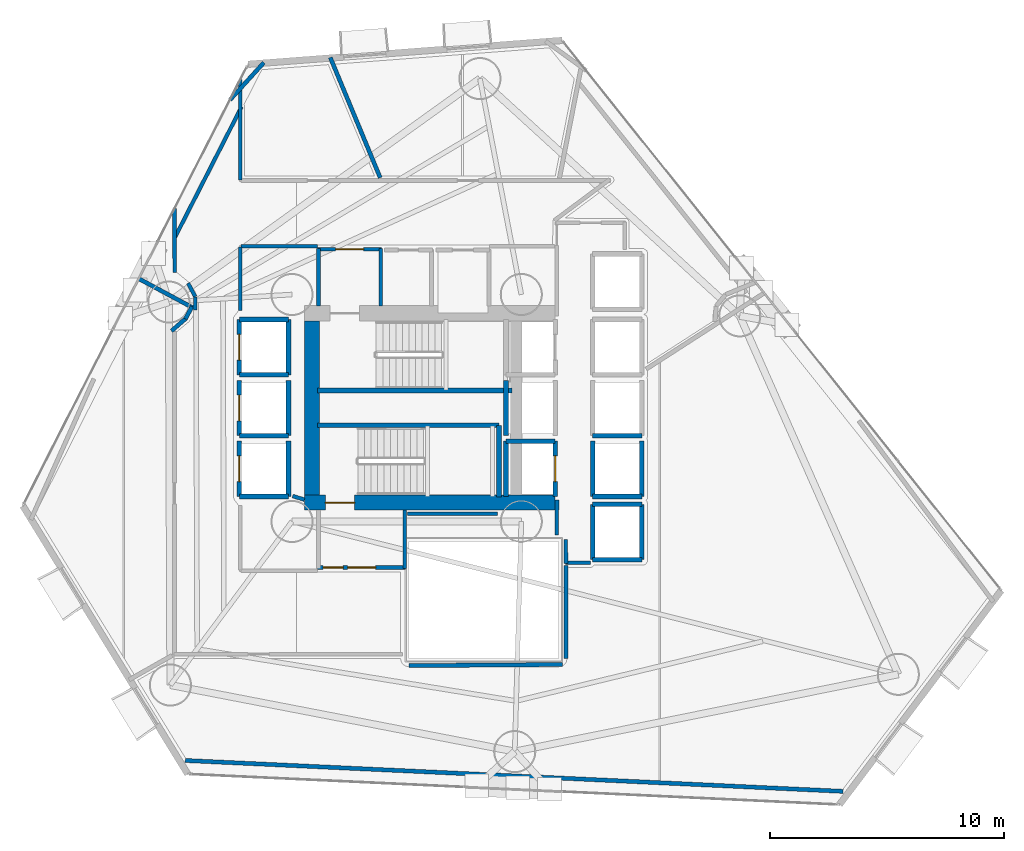
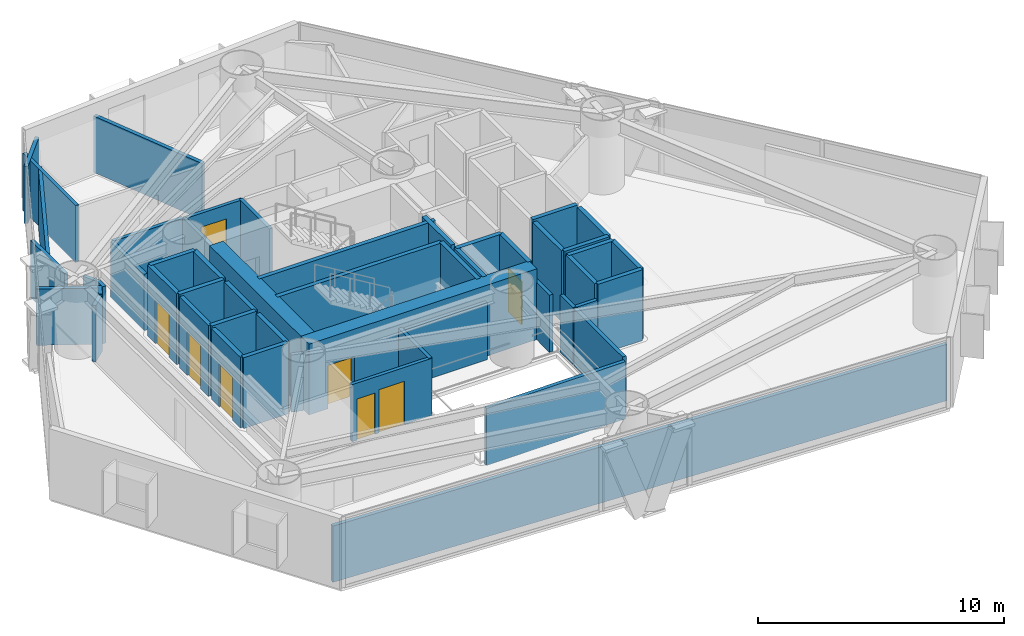
# One storey, part 17 of 23: 52 walls, 8 doors, 8 openings.
"""IFC4 building model written with IfcOpenShell, lengths in metres."""

from ifc_helpers import new_model, si_unit, direction, frame, frame_2d, origin, place, context, subcontext, project, spatial, rectangle, extrude, material, layer, layer_set, type_object, element, fill, save


model = new_model("IFC4")

# Units and contexts
model_context = context("Model", 3, precision=1e-05, world=origin(), true_north=direction((0.0, 1.0)))
body_context = subcontext(model_context, "Body", "Model", "MODEL_VIEW")
ifc_project = project(units=[si_unit("LENGTHUNIT", "METRE"), si_unit("AREAUNIT", "SQUARE_METRE"), si_unit("VOLUMEUNIT", "CUBIC_METRE"), si_unit("PLANEANGLEUNIT", "RADIAN"), si_unit("MASSUNIT", "GRAM", prefix="KILO")], contexts=[model_context])

# Site, building, storey
site_placement = place(None, origin())
site = spatial("IfcSite", under=ifc_project, at=site_placement, CompositionType="ELEMENT")
building_placement = place(site_placement, origin())
building = spatial("IfcBuilding", under=site, at=building_placement, Name="Qianvela Tower", CompositionType="ELEMENT")
storey_placement = place(building_placement, frame((0.0, 0.0, 33.10009765625)))
storey = spatial("IfcBuildingStorey", under=building, at=storey_placement, Name="L07", CompositionType="ELEMENT", Elevation=33.10009765625)

# Wall, opening, door
ifc_material_1 = material(Name="Concrete C60", Category="concrete")
ifc_layer_1 = layer(ifc_material_1, 0.64990234375)
ifc_layer_set_1 = layer_set([ifc_layer_1], Name="Concrete C60")
wall_type_1 = type_object("IfcWallType", Name="WT-CORE-650", PredefinedType="SHEAR", material=ifc_layer_set_1)
wall_1_placement = place(storey_placement, frame((29.1298828125, 24.655029296875, 0.0), z_axis=(0.0, 0.0, 1.0), x_axis=(1.0, 0.0, 0.0)))
wall_1 = element("IfcWall", 1, at=wall_1_placement, inside=storey, type_object=wall_type_1, Name="L07 South Core Shear Wall", PredefinedType="SHEAR", context=body_context, shape_type="SweptSolid", body=[
    extrude(rectangle(XDim=10.72021484375, YDim=0.64990234375, at=frame_2d((5.360107421875, 0.0))), origin(), (0.0, 0.0, 1.0), 3.52001953125),
])
opening_1_placement = place(wall_1_placement, frame((0.89501953125, 0.0, 0.0)))
opening_1 = element("IfcOpeningElement", 2, at=opening_1_placement, cuts=wall_1, Name="Opening D-ST1", PredefinedType="OPENING", context=body_context, shape_type="SweptSolid", body=[
    extrude(rectangle(XDim=1.25, YDim=2.14990234375, at=frame_2d((0.625, 1.074951171875))), frame((0.0, 0.3349609375, 0.0), z_axis=(0.0, -1.0, 0.0), x_axis=(1.0, 0.0, 0.0)), (0.0, 0.0, 1.0), 0.669921875),
])
ifc_material_2 = material(Name="Galvanised Fire Steel Q355B", Category="steel")
door_type_1 = type_object("IfcDoorType", Name="DT-STAIR-FD90", OperationType="NOTDEFINED", PredefinedType="DOOR", material=ifc_material_2)
door_1_placement = place(opening_1_placement, origin())
door_1 = element("IfcDoor", 3, at=door_1_placement, inside=storey, type_object=door_type_1, Name="L07 Stair ST-2 Exit Door", OperationType="SINGLE_SWING_RIGHT", OverallHeight=2.14990234375, OverallWidth=1.25, PredefinedType="DOOR", context=body_context, shape_type="SweptSolid", body=[
    extrude(rectangle(XDim=1.25, YDim=2.14990234375, at=frame_2d((0.625, 1.074951171875))), frame((0.0, 0.02490234375, 0.0), z_axis=(0.0, -1.0, 0.0), x_axis=(1.0, 0.0, 0.0)), (0.0, 0.0, 1.0), 0.050048828125),
])
fill(opening_1, door_1)

# Walls
wall_2_placement = place(storey_placement, frame((29.455078125, 24.97998046875, 0.0), z_axis=(0.0, 0.0, 1.0), x_axis=(0.0, 1.0, 0.0)))
element("IfcWall", 4, at=wall_2_placement, inside=storey, type_object=wall_type_1, Name="L07 West Core Shear Wall", PredefinedType="SHEAR", context=body_context, shape_type="SweptSolid", body=[
    extrude(rectangle(XDim=7.43994140625, YDim=0.64990234375, at=frame_2d((3.719970703125, 0.0))), origin(), (0.0, 0.0, 1.0), 3.52001953125),
])
ifc_material_3 = material(Name="Fire-Rated Gypsum and Concrete Block", Category="concrete")
ifc_layer_2 = layer(ifc_material_3, 0.159912109375)
ifc_layer_set_2 = layer_set([ifc_layer_2], Name="Fire-Rated Gypsum and Concrete Block")
wall_type_2 = type_object("IfcWallType", Name="WT-CORR-160", PredefinedType="PARTITIONING", material=ifc_layer_set_2)
wall_3_placement = place(storey_placement, frame((29.73095703125, 33.05810546875, 0.0), z_axis=(0.0, 0.0, 1.0), x_axis=(0.0, 1.0, 0.0)))
element("IfcWall", 5, at=wall_3_placement, inside=storey, type_object=wall_type_2, Name="L07 Partition 2", PredefinedType="PARTITIONING", context=body_context, shape_type="SweptSolid", body=[
    extrude(rectangle(XDim=2.4619140625, YDim=0.159912109375, at=frame_2d((1.23095703125, 0.0))), origin(), (0.0, 0.0, 1.0), 2.83984375),
])

# Wall, opening, door
wall_4_placement = place(storey_placement, frame((29.699951171875, 35.489013671875, 0.0), z_axis=(0.0, 0.0, 1.0), x_axis=(1.0, 0.0, 0.0)))
wall_4 = element("IfcWall", 6, at=wall_4_placement, inside=storey, type_object=wall_type_2, Name="L07 Partition 3", PredefinedType="PARTITIONING", context=body_context, shape_type="SweptSolid", body=[
    extrude(rectangle(XDim=2.719970703125, YDim=0.159912109375, at=frame_2d((1.35986328125, 0.0))), origin(), (0.0, 0.0, 1.0), 2.83984375),
])
opening_2_placement = place(wall_4_placement, frame((0.760009765625, 0.0, 0.0)))
opening_2 = element("IfcOpeningElement", 7, at=opening_2_placement, cuts=wall_4, Name="Opening D-LB1", PredefinedType="OPENING", context=body_context, shape_type="SweptSolid", body=[
    extrude(rectangle(XDim=1.199951171875, YDim=2.14990234375, at=frame_2d((0.60009765625, 1.074951171875))), frame((0.0, 0.08984375, 0.0), z_axis=(0.0, -1.0, 0.0), x_axis=(1.0, 0.0, 0.0)), (0.0, 0.0, 1.0), 0.179931640625),
])
ifc_material_4 = material(Name="Glazed Fire-Rated Steel Frame", Category="steel")
door_type_2 = type_object("IfcDoorType", Name="DT-LOBBY-FD90", OperationType="NOTDEFINED", PredefinedType="DOOR", material=ifc_material_4)
door_2_placement = place(opening_2_placement, origin())
door_2 = element("IfcDoor", 8, at=door_2_placement, inside=storey, type_object=door_type_2, Name="L07 Door L07 Firefighting Lobby North to L07 Floor Corridor", OperationType="SINGLE_SWING_RIGHT", OverallHeight=2.14990234375, OverallWidth=1.199951171875, PredefinedType="DOOR", context=body_context, shape_type="SweptSolid", body=[
    extrude(rectangle(XDim=1.199951171875, YDim=2.14990234375, at=frame_2d((0.60009765625, 1.074951171875))), frame((0.0, 0.02490234375, 0.0), z_axis=(0.0, -1.0, 0.0), x_axis=(1.0, 0.0, 0.0)), (0.0, 0.0, 1.0), 0.050048828125),
])
fill(opening_2, door_2)

# Wall
wall_5_placement = place(storey_placement, frame((32.388916015625, 35.52001953125, 0.0), z_axis=(0.0, 0.0, 1.0), x_axis=(0.0, -1.0, 0.0)))
element("IfcWall", 9, at=wall_5_placement, inside=storey, type_object=wall_type_2, Name="L07 Partition 4", PredefinedType="PARTITIONING", context=body_context, shape_type="SweptSolid", body=[
    extrude(rectangle(XDim=2.4619140625, YDim=0.159912109375, at=frame_2d((1.23095703125, 0.0))), origin(), (0.0, 0.0, 1.0), 2.83984375),
])

# Wall, openings, doors
wall_6_placement = place(storey_placement, frame((33.449951171875, 21.881103515625, 0.0), z_axis=(0.0, 0.0, 1.0), x_axis=(-1.0, 0.0, 0.0)))
wall_6 = element("IfcWall", 10, at=wall_6_placement, inside=storey, type_object=wall_type_2, Name="L07 Partition 5", PredefinedType="PARTITIONING", context=body_context, shape_type="SweptSolid", body=[
    extrude(rectangle(XDim=3.75, YDim=0.159912109375, at=frame_2d((1.875, 0.0))), origin(), (0.0, 0.0, 1.0), 2.83984375),
])
opening_3_placement = place(wall_6_placement, frame((1.27490234375, 0.0, 0.0)))
opening_3 = element("IfcOpeningElement", 11, at=opening_3_placement, cuts=wall_6, Name="Opening D-LB1", PredefinedType="OPENING", context=body_context, shape_type="SweptSolid", body=[
    extrude(rectangle(XDim=1.199951171875, YDim=2.14990234375, at=frame_2d((0.60009765625, 1.074951171875))), frame((0.0, 0.08984375, 0.0), z_axis=(0.0, -1.0, 0.0), x_axis=(1.0, 0.0, 0.0)), (0.0, 0.0, 1.0), 0.179931640625),
])
opening_4_placement = place(wall_6_placement, frame((2.659912109375, 0.0, 0.0)))
opening_4 = element("IfcOpeningElement", 12, at=opening_4_placement, cuts=wall_6, Name="Opening D-LB2", PredefinedType="OPENING", context=body_context, shape_type="SweptSolid", body=[
    extrude(rectangle(XDim=0.860107421875, YDim=2.050048828125, at=frame_2d((0.43017578125, 1.02490234375))), frame((0.0, 0.08984375, 0.0), z_axis=(0.0, -1.0, 0.0), x_axis=(1.0, 0.0, 0.0)), (0.0, 0.0, 1.0), 0.179931640625),
])
door_3_placement = place(opening_3_placement, origin())
door_3 = element("IfcDoor", 13, at=door_3_placement, inside=storey, type_object=door_type_2, Name="L07 Door L07 Firefighting Lobby South to L07 Floor Corridor", OperationType="SINGLE_SWING_LEFT", OverallHeight=2.14990234375, OverallWidth=1.199951171875, PredefinedType="DOOR", context=body_context, shape_type="SweptSolid", body=[
    extrude(rectangle(XDim=1.199951171875, YDim=2.14990234375, at=frame_2d((0.60009765625, 1.074951171875))), frame((0.0, 0.02490234375, 0.0), z_axis=(0.0, -1.0, 0.0), x_axis=(1.0, 0.0, 0.0)), (0.0, 0.0, 1.0), 0.050048828125),
])
fill(opening_3, door_3)
ifc_material_5 = material(Name="Insulated Steel Fire Door Q355B", Category="steel")
door_type_3 = type_object("IfcDoorType", Name="DT-LOBBY-FD90-860", OperationType="NOTDEFINED", PredefinedType="DOOR", material=ifc_material_5)
door_4_placement = place(opening_4_placement, origin())
door_4 = element("IfcDoor", 14, at=door_4_placement, inside=storey, type_object=door_type_3, Name="L07 Door L07 Firefighting Lobby South to L07 Floor Corridor", OperationType="SINGLE_SWING_LEFT", OverallHeight=2.050048828125, OverallWidth=0.860107421875, PredefinedType="DOOR", context=body_context, shape_type="SweptSolid", body=[
    extrude(rectangle(XDim=0.860107421875, YDim=2.050048828125, at=frame_2d((0.43017578125, 1.02490234375))), frame((0.0, 0.02490234375, 0.0), z_axis=(0.0, -1.0, 0.0), x_axis=(1.0, 0.0, 0.0)), (0.0, 0.0, 1.0), 0.050048828125),
])
fill(opening_4, door_4)

# Walls
wall_7_placement = place(storey_placement, frame((33.4189453125, 24.342041015625, 0.0), z_axis=(0.0, 0.0, 1.0), x_axis=(0.0, -1.0, 0.0)))
element("IfcWall", 15, at=wall_7_placement, inside=storey, type_object=wall_type_2, Name="L07 Partition 8", PredefinedType="PARTITIONING", context=body_context, shape_type="SweptSolid", body=[
    extrude(rectangle(XDim=2.491943359375, YDim=0.159912109375, at=frame_2d((1.24609375, 0.0))), origin(), (0.0, 0.0, 1.0), 2.83984375),
])
wall_8_placement = place(storey_placement, frame((41.360107421875, 22.0810546875, 0.0), z_axis=(0.0, 0.0, 1.0), x_axis=(-1.0, 0.0, 0.0)))
element("IfcWall", 16, at=wall_8_placement, inside=storey, type_object=wall_type_2, Name="L07 Partition 15", PredefinedType="PARTITIONING", context=body_context, shape_type="SweptSolid", body=[
    extrude(rectangle(XDim=1.080078125, YDim=0.159912109375, at=frame_2d((0.5400390625, 0.0))), origin(), (0.0, 0.0, 1.0), 2.83984375),
])
wall_9_placement = place(storey_placement, frame((40.31103515625, 22.05029296875, 0.0), z_axis=(0.0, 0.0, 1.0), x_axis=(-0.011836292006, 0.999929948642, 0.0)))
element("IfcWall", 17, at=wall_9_placement, inside=storey, type_object=wall_type_2, Name="L07 Partition 16", PredefinedType="PARTITIONING", context=body_context, shape_type="SweptSolid", body=[
    extrude(rectangle(XDim=1.03125, YDim=0.159912109375, at=frame_2d((0.515625, 0.0))), origin(), (0.0, 0.0, 1.0), 2.83984375),
])
wall_10_placement = place(storey_placement, frame((39.910888671875, 23.27978515625, 0.0), z_axis=(0.0, 0.0, 1.0), x_axis=(0.009397771291, 0.999955839972, 0.0)))
element("IfcWall", 18, at=wall_10_placement, inside=storey, type_object=wall_type_2, Name="L07 Partition 17", PredefinedType="PARTITIONING", context=body_context, shape_type="SweptSolid", body=[
    extrude(rectangle(XDim=1.480712890625, YDim=0.159912109375, at=frame_2d((0.740234375, 0.0))), origin(), (0.0, 0.0, 1.0), 2.83984375),
])
wall_11_placement = place(storey_placement, frame((29.1298828125, 24.781982421875, 0.0), z_axis=(0.0, 0.0, 1.0), x_axis=(-0.955000482512, 0.296604245422, 0.0)))
element("IfcWall", 19, at=wall_11_placement, inside=storey, type_object=wall_type_2, Name="L07 Partition 31", PredefinedType="PARTITIONING", context=body_context, shape_type="SweptSolid", body=[
    extrude(rectangle(XDim=0.5244140625, YDim=0.159912109375, at=frame_2d((0.26220703125, 0.0))), origin(), (0.0, 0.0, 1.0), 2.83984375),
])
wall_12_placement = place(storey_placement, frame((37.388671875, 24.180908203125, 0.0), z_axis=(0.0, 0.0, 1.0), x_axis=(-1.0, 0.0, 0.0)))
element("IfcWall", 20, at=wall_12_placement, inside=storey, type_object=wall_type_2, Name="L07 Partition 37", PredefinedType="PARTITIONING", context=body_context, shape_type="SweptSolid", body=[
    extrude(rectangle(XDim=3.858642578125, YDim=0.159912109375, at=frame_2d((1.92919921875, 0.0))), origin(), (0.0, 0.0, 1.0), 2.83984375),
])
wall_13_placement = place(storey_placement, frame((24.4638671875, 33.461181640625, 0.0), z_axis=(0.0, 0.0, 1.0), x_axis=(-0.4715232649, 0.881853622014, 0.0)))
element("IfcWall", 21, at=wall_13_placement, inside=storey, type_object=wall_type_2, Name="L07 Partition 38", PredefinedType="PARTITIONING", context=body_context, shape_type="SweptSolid", body=[
    extrude(rectangle(XDim=0.650390625, YDim=0.159912109375, at=frame_2d((0.3251953125, 0.0))), origin(), (0.0, 0.0, 1.0), 2.7978515625),
])
wall_14_placement = place(storey_placement, frame((23.586669921875, 34.491455078125, 0.0), z_axis=(0.0, 0.0, 1.0), x_axis=(-0.003825594781, 0.999992682386, 0.0)))
element("IfcWall", 22, at=wall_14_placement, inside=storey, type_object=wall_type_2, Name="L07 Partition 40", PredefinedType="PARTITIONING", context=body_context, shape_type="SweptSolid", body=[
    extrude(rectangle(XDim=2.744140625, YDim=0.159912109375, at=frame_2d((1.3720703125, 0.0))), origin(), (0.0, 0.0, 1.0), 2.83984375),
])
wall_15_placement = place(storey_placement, frame((23.57763671875, 35.951171875, 0.0), z_axis=(0.0, 0.0, 1.0), x_axis=(0.454592450263, 0.890699558866, 0.0)))
element("IfcWall", 23, at=wall_15_placement, inside=storey, type_object=wall_type_2, Name="L07 Partition 41", PredefinedType="PARTITIONING", context=body_context, shape_type="SweptSolid", body=[
    extrude(rectangle(XDim=6.31298828125, YDim=0.159912109375, at=frame_2d((3.156494140625, 0.0))), origin(), (0.0, 0.0, 1.0), 2.83984375),
])
wall_16_placement = place(storey_placement, frame((26.388916015625, 42.746337890625, 0.0), z_axis=(0.0, 0.0, 1.0), x_axis=(0.0, -1.0, 0.0)))
element("IfcWall", 24, at=wall_16_placement, inside=storey, type_object=wall_type_2, Name="L07 Partition 42", PredefinedType="PARTITIONING", context=body_context, shape_type="SweptSolid", body=[
    extrude(rectangle(XDim=4.29638671875, YDim=0.159912109375, at=frame_2d((2.148193359375, 0.0))), origin(), (0.0, 0.0, 1.0), 2.83984375),
])
wall_17_placement = place(storey_placement, frame((29.699951171875, 35.611083984375, 0.0), z_axis=(0.0, 0.0, 1.0), x_axis=(-1.0, 0.0, 0.0)))
element("IfcWall", 25, at=wall_17_placement, inside=storey, type_object=wall_type_2, Name="L07 Partition 46 seg 4", PredefinedType="PARTITIONING", context=body_context, shape_type="SweptSolid", body=[
    extrude(rectangle(XDim=3.280029296875, YDim=0.159912109375, at=frame_2d((1.64013671875, 0.0))), origin(), (0.0, 0.0, 1.0), 2.7978515625),
])
wall_18_placement = place(storey_placement, frame((26.388916015625, 35.580078125, 0.0), z_axis=(0.0, 0.0, 1.0), x_axis=(0.0, -1.0, 0.0)))
element("IfcWall", 26, at=wall_18_placement, inside=storey, type_object=wall_type_2, Name="L07 Partition 47", PredefinedType="PARTITIONING", context=body_context, shape_type="SweptSolid", body=[
    extrude(rectangle(XDim=2.71044921875, YDim=0.159912109375, at=frame_2d((1.355224609375, 0.0))), origin(), (0.0, 0.0, 1.0), 2.7978515625),
])
wall_19_placement = place(storey_placement, frame((24.45654296875, 32.8974609375, 0.0), z_axis=(0.0, 0.0, 1.0), x_axis=(0.020031598679, 0.999799347396, 0.0)))
element("IfcWall", 27, at=wall_19_placement, inside=storey, type_object=wall_type_2, Name="L07 Partition 54", PredefinedType="PARTITIONING", context=body_context, shape_type="SweptSolid", body=[
    extrude(rectangle(XDim=0.54833984375, YDim=0.159912109375, at=frame_2d((0.274169921875, 0.0))), origin(), (0.0, 0.0, 1.0), 2.83984375),
])
ifc_material_6 = material(Name="Moisture-Resistant Acoustic Plumbing Wall")
ifc_layer_3 = layer(ifc_material_6, 0.175048828125)
ifc_layer_set_3 = layer_set([ifc_layer_3], Name="Moisture-Resistant Acoustic Plumbing Wall")
wall_type_3 = type_object("IfcWallType", Name="WT-PLUMB-175", PredefinedType="PLUMBINGWALL", material=ifc_layer_set_3)
wall_20_placement = place(storey_placement, frame((22.033203125, 34.236083984375, 0.0), z_axis=(0.0, 0.0, 1.0), x_axis=(0.880677298997, -0.473716682239, 0.0)))
element("IfcWall", 28, at=wall_20_placement, inside=storey, type_object=wall_type_3, Name="L07 Partition 55", PredefinedType="PLUMBINGWALL", context=body_context, shape_type="SweptSolid", body=[
    extrude(rectangle(XDim=2.622314453125, YDim=0.175048828125, at=frame_2d((1.31103515625, 0.0))), origin(), (0.0, 0.0, 1.0), 2.7978515625),
])
wall_21_placement = place(storey_placement, frame((24.329833984375, 33.035888671875, 0.0), z_axis=(0.0, 0.0, 1.0), x_axis=(-0.473395741492, -0.880849857772, 0.0)))
element("IfcWall", 29, at=wall_21_placement, inside=storey, type_object=wall_type_3, Name="L07 Partition 56", PredefinedType="PLUMBINGWALL", context=body_context, shape_type="SweptSolid", body=[
    extrude(rectangle(XDim=0.599853515625, YDim=0.175048828125, at=frame_2d((0.2998046875, 0.0))), origin(), (0.0, 0.0, 1.0), 2.83984375),
])
wall_22_placement = place(storey_placement, frame((24.052734375, 32.516357421875, 0.0), z_axis=(0.0, 0.0, 1.0), x_axis=(-0.753993768579, -0.656881569953, 0.0)))
element("IfcWall", 30, at=wall_22_placement, inside=storey, type_object=wall_type_3, Name="L07 Partition 57", PredefinedType="PLUMBINGWALL", context=body_context, shape_type="SweptSolid", body=[
    extrude(rectangle(XDim=0.799560546875, YDim=0.175048828125, at=frame_2d((0.39990234375, 0.0))), origin(), (0.0, 0.0, 1.0), 2.7978515625),
])
wall_23_placement = place(storey_placement, frame((33.60009765625, 17.68896484375, 0.0), z_axis=(0.0, 0.0, 1.0), x_axis=(0.999974170588, 0.007187360901, 0.0)))
element("IfcWall", 31, at=wall_23_placement, inside=storey, type_object=wall_type_3, Name="L07 Partition 63", PredefinedType="PLUMBINGWALL", context=body_context, shape_type="SweptSolid", body=[
    extrude(rectangle(XDim=6.555908203125, YDim=0.175048828125, at=frame_2d((3.27783203125, 0.0))), origin(), (0.0, 0.0, 1.0), 2.83984375),
])
wall_24_placement = place(storey_placement, frame((40.31103515625, 18.0, 0.0), z_axis=(0.0, 0.0, 1.0), x_axis=(0.0, 1.0, 0.0)))
element("IfcWall", 32, at=wall_24_placement, inside=storey, type_object=wall_type_3, Name="L07 Partition 64 seg 1", PredefinedType="PLUMBINGWALL", context=body_context, shape_type="SweptSolid", body=[
    extrude(rectangle(XDim=3.969970703125, YDim=0.175048828125, at=frame_2d((1.98486328125, 0.0))), origin(), (0.0, 0.0, 1.0), 2.83984375),
])
wall_25_placement = place(storey_placement, frame((52.156494140625, 12.315673828125, 0.0), z_axis=(0.0, 0.0, 1.0), x_axis=(-0.998900535897, 0.046879839856, 0.0)))
element("IfcWall", 33, at=wall_25_placement, inside=storey, type_object=wall_type_3, Name="L07 Partition 73", PredefinedType="PLUMBINGWALL", context=body_context, shape_type="SweptSolid", body=[
    extrude(rectangle(XDim=28.148193359375, YDim=0.175048828125, at=frame_2d((14.07421875, 0.0))), origin(), (0.0, 0.0, 1.0), 2.7978515625),
])
wall_26_placement = place(storey_placement, frame((32.3701171875, 38.5419921875, 0.0), z_axis=(0.0, 0.0, 1.0), x_axis=(-0.383564864304, 0.923513938645, 0.0)))
element("IfcWall", 34, at=wall_26_placement, inside=storey, type_object=wall_type_3, Name="L07 Partition 95", PredefinedType="PLUMBINGWALL", context=body_context, shape_type="SweptSolid", body=[
    extrude(rectangle(XDim=5.5625, YDim=0.175048828125, at=frame_2d((2.78125, 0.0))), origin(), (0.0, 0.0, 1.0), 2.7978515625),
])
wall_27_placement = place(storey_placement, frame((25.95166015625, 41.869384765625, 0.0), z_axis=(0.0, 0.0, 1.0), x_axis=(0.672672793996, 0.739940073396, 0.0)))
element("IfcWall", 35, at=wall_27_placement, inside=storey, type_object=wall_type_3, Name="L07 Partition 96", PredefinedType="PLUMBINGWALL", context=body_context, shape_type="SweptSolid", body=[
    extrude(rectangle(XDim=2.15234375, YDim=0.175048828125, at=frame_2d((1.076171875, 0.0))), origin(), (0.0, 0.0, 1.0), 2.83984375),
])
ifc_material_7 = material(Name="Concrete C50", Category="concrete")
ifc_layer_4 = layer(ifc_material_7, 0.199951171875)
ifc_layer_set_4 = layer_set([ifc_layer_4], Name="Concrete C50")
wall_type_4 = type_object("IfcWallType", Name="WT-SHAFT-200", PredefinedType="SOLIDWALL", material=ifc_layer_set_4)
wall_28_placement = place(storey_placement, frame((29.699951171875, 29.449951171875, 0.0), z_axis=(0.0, 0.0, 1.0), x_axis=(1.0, 0.0, 0.0)))
element("IfcWall", 36, at=wall_28_placement, inside=storey, type_object=wall_type_4, Name="L07 Stair ST-1 South Wall", PredefinedType="SOLIDWALL", context=body_context, shape_type="SweptSolid", body=[
    extrude(rectangle(XDim=8.300048828125, YDim=0.199951171875, at=frame_2d((4.14990234375, 0.0))), origin(), (0.0, 0.0, 1.0), 3.52001953125),
])
wall_29_placement = place(storey_placement, frame((29.699951171875, 27.9599609375, 0.0), z_axis=(0.0, 0.0, 1.0), x_axis=(1.0, 0.0, 0.0)))
element("IfcWall", 37, at=wall_29_placement, inside=storey, type_object=wall_type_4, Name="L07 Stair ST-2 North Wall", PredefinedType="SOLIDWALL", context=body_context, shape_type="SweptSolid", body=[
    extrude(rectangle(XDim=7.75, YDim=0.199951171875, at=frame_2d((3.875, 0.0))), origin(), (0.0, 0.0, 1.0), 3.52001953125),
])
wall_30_placement = place(storey_placement, frame((37.449951171875, 24.89990234375, 0.0), z_axis=(0.0, 0.0, 1.0), x_axis=(0.0, 1.0, 0.0)))
element("IfcWall", 38, at=wall_30_placement, inside=storey, type_object=wall_type_4, Name="L07 Stair ST-2 East Wall", PredefinedType="SOLIDWALL", context=body_context, shape_type="SweptSolid", body=[
    extrude(rectangle(XDim=3.06005859375, YDim=0.199951171875, at=frame_2d((1.530029296875, 0.0))), origin(), (0.0, 0.0, 1.0), 3.52001953125),
])

# Wall, opening, door
wall_31_placement = place(storey_placement, frame((39.85009765625, 24.919921875, 0.0), z_axis=(0.0, 0.0, 1.0), x_axis=(0.0, 1.0, 0.0)))
wall_31 = element("IfcWall", 39, at=wall_31_placement, inside=storey, type_object=wall_type_4, Name="L07 Lift FL-2 E Shaft Wall", PredefinedType="SOLIDWALL", context=body_context, shape_type="SweptSolid", body=[
    extrude(rectangle(XDim=2.360107421875, YDim=0.199951171875, at=frame_2d((1.18017578125, 0.0))), origin(), (0.0, 0.0, 1.0), 3.52001953125),
])
opening_5_placement = place(wall_31_placement, frame((0.6298828125, 0.0, 0.0)))
opening_5 = element("IfcOpeningElement", 40, at=opening_5_placement, cuts=wall_31, Name="Opening LD-01", PredefinedType="OPENING", context=body_context, shape_type="SweptSolid", body=[
    extrude(rectangle(XDim=1.10009765625, YDim=2.14990234375, at=frame_2d((0.550048828125, 1.074951171875))), frame((0.0, 0.10986328125, 0.0), z_axis=(0.0, -1.0, 0.0), x_axis=(1.0, 0.0, 0.0)), (0.0, 0.0, 1.0), 0.219970703125),
])
ifc_material_8 = material(Name="Brushed Stainless Steel Lift Landing Door", Category="steel")
door_type_4 = type_object("IfcDoorType", Name="DT-LIFT-SLIDE-1100", OperationType="SLIDING_TO_LEFT", PredefinedType="DOOR", material=ifc_material_8)
door_5_placement = place(opening_5_placement, origin())
door_5 = element("IfcDoor", 41, at=door_5_placement, inside=storey, type_object=door_type_4, Name="L07 Lift FL-2 Sliding Landing Door", OperationType="SLIDING_TO_LEFT", OverallHeight=2.14990234375, OverallWidth=1.10009765625, PredefinedType="DOOR", context=body_context, shape_type="SweptSolid", body=[
    extrude(rectangle(XDim=1.10009765625, YDim=2.14990234375, at=frame_2d((0.550048828125, 1.074951171875))), frame((0.0, 0.02490234375, 0.0), z_axis=(0.0, -1.0, 0.0), x_axis=(1.0, 0.0, 0.0)), (0.0, 0.0, 1.0), 0.050048828125),
])
fill(opening_5, door_5)

# Walls
wall_32_placement = place(storey_placement, frame((37.75, 24.919921875, 0.0), z_axis=(0.0, 0.0, 1.0), x_axis=(0.0, 1.0, 0.0)))
element("IfcWall", 42, at=wall_32_placement, inside=storey, type_object=wall_type_4, Name="L07 Lift FL-2 W Shaft Wall", PredefinedType="SOLIDWALL", context=body_context, shape_type="SweptSolid", body=[
    extrude(rectangle(XDim=2.360107421875, YDim=0.199951171875, at=frame_2d((1.18017578125, 0.0))), origin(), (0.0, 0.0, 1.0), 3.52001953125),
])
wall_33_placement = place(storey_placement, frame((37.75, 27.280029296875, 0.0), z_axis=(0.0, 0.0, 1.0), x_axis=(1.0, 0.0, 0.0)))
element("IfcWall", 43, at=wall_33_placement, inside=storey, type_object=wall_type_4, Name="L07 Lift FL-2 N Shaft Wall", PredefinedType="SOLIDWALL", context=body_context, shape_type="SweptSolid", body=[
    extrude(rectangle(XDim=2.10009765625, YDim=0.199951171875, at=frame_2d((1.050048828125, 0.0))), origin(), (0.0, 0.0, 1.0), 3.52001953125),
])
wall_34_placement = place(storey_placement, frame((28.449951171875, 30.1201171875, 0.0), z_axis=(0.0, 0.0, 1.0), x_axis=(0.0, 1.0, 0.0)))
element("IfcWall", 44, at=wall_34_placement, inside=storey, type_object=wall_type_4, Name="L07 Lift PL-L1 E Shaft Wall", PredefinedType="SOLIDWALL", context=body_context, shape_type="SweptSolid", body=[
    extrude(rectangle(XDim=2.35986328125, YDim=0.199951171875, at=frame_2d((1.179931640625, 0.0))), origin(), (0.0, 0.0, 1.0), 3.52001953125),
])

# Wall, opening, door
wall_35_placement = place(storey_placement, frame((26.35009765625, 30.1201171875, 0.0), z_axis=(0.0, 0.0, 1.0), x_axis=(0.0, 1.0, 0.0)))
wall_35 = element("IfcWall", 45, at=wall_35_placement, inside=storey, type_object=wall_type_4, Name="L07 Lift PL-L1 W Shaft Wall", PredefinedType="SOLIDWALL", context=body_context, shape_type="SweptSolid", body=[
    extrude(rectangle(XDim=2.35986328125, YDim=0.199951171875, at=frame_2d((1.179931640625, 0.0))), origin(), (0.0, 0.0, 1.0), 3.52001953125),
])
opening_6_placement = place(wall_35_placement, frame((0.6298828125, 0.0, 0.0)))
opening_6 = element("IfcOpeningElement", 46, at=opening_6_placement, cuts=wall_35, Name="Opening LD-01", PredefinedType="OPENING", context=body_context, shape_type="SweptSolid", body=[
    extrude(rectangle(XDim=1.10009765625, YDim=2.14990234375, at=frame_2d((0.550048828125, 1.074951171875))), frame((0.0, 0.10986328125, 0.0), z_axis=(0.0, -1.0, 0.0), x_axis=(1.0, 0.0, 0.0)), (0.0, 0.0, 1.0), 0.219970703125),
])
door_6_placement = place(opening_6_placement, origin())
door_6 = element("IfcDoor", 47, at=door_6_placement, inside=storey, type_object=door_type_4, Name="L07 Lift PL-L1 Sliding Landing Door", OperationType="SLIDING_TO_LEFT", OverallHeight=2.14990234375, OverallWidth=1.10009765625, PredefinedType="DOOR", context=body_context, shape_type="SweptSolid", body=[
    extrude(rectangle(XDim=1.10009765625, YDim=2.14990234375, at=frame_2d((0.550048828125, 1.074951171875))), frame((0.0, 0.02490234375, 0.0), z_axis=(0.0, -1.0, 0.0), x_axis=(1.0, 0.0, 0.0)), (0.0, 0.0, 1.0), 0.050048828125),
])
fill(opening_6, door_6)

# Walls
for number, where, z_axis, x_axis, name in (
    (48, (26.35009765625, 32.47998046875, 0.0), (0.0, 0.0, 1.0), (1.0, 0.0, 0.0), "L07 Lift PL-L1 N Shaft Wall"),
    (49, (26.35009765625, 30.1201171875, 0.0), (0.0, 0.0, 1.0), (1.0, 0.0, 0.0), "L07 Lift PL-L1 S Shaft Wall"),
):
    element("IfcWall", number, at=place(storey_placement, frame(where, z_axis=z_axis, x_axis=x_axis)), inside=storey, type_object=wall_type_4, Name=name, PredefinedType="SOLIDWALL", context=body_context, shape_type="SweptSolid", body=[
        extrude(rectangle(XDim=2.099853515625, YDim=0.199951171875, at=frame_2d((1.0498046875, 0.0))), origin(), (0.0, 0.0, 1.0), 3.52001953125),
    ])
wall_36_placement = place(storey_placement, frame((28.449951171875, 27.52001953125, 0.0), z_axis=(0.0, 0.0, 1.0), x_axis=(0.0, 1.0, 0.0)))
element("IfcWall", 50, at=wall_36_placement, inside=storey, type_object=wall_type_4, Name="L07 Lift PL-L2 E Shaft Wall", PredefinedType="SOLIDWALL", context=body_context, shape_type="SweptSolid", body=[
    extrude(rectangle(XDim=2.35986328125, YDim=0.199951171875, at=frame_2d((1.179931640625, 0.0))), origin(), (0.0, 0.0, 1.0), 3.52001953125),
])

# Wall, opening, door
wall_37_placement = place(storey_placement, frame((26.35009765625, 27.52001953125, 0.0), z_axis=(0.0, 0.0, 1.0), x_axis=(0.0, 1.0, 0.0)))
wall_37 = element("IfcWall", 51, at=wall_37_placement, inside=storey, type_object=wall_type_4, Name="L07 Lift PL-L2 W Shaft Wall", PredefinedType="SOLIDWALL", context=body_context, shape_type="SweptSolid", body=[
    extrude(rectangle(XDim=2.35986328125, YDim=0.199951171875, at=frame_2d((1.179931640625, 0.0))), origin(), (0.0, 0.0, 1.0), 3.52001953125),
])
opening_7_placement = place(wall_37_placement, frame((0.6298828125, 0.0, 0.0)))
opening_7 = element("IfcOpeningElement", 52, at=opening_7_placement, cuts=wall_37, Name="Opening LD-01", PredefinedType="OPENING", context=body_context, shape_type="SweptSolid", body=[
    extrude(rectangle(XDim=1.10009765625, YDim=2.14990234375, at=frame_2d((0.550048828125, 1.074951171875))), frame((0.0, 0.10986328125, 0.0), z_axis=(0.0, -1.0, 0.0), x_axis=(1.0, 0.0, 0.0)), (0.0, 0.0, 1.0), 0.219970703125),
])
door_7_placement = place(opening_7_placement, origin())
door_7 = element("IfcDoor", 53, at=door_7_placement, inside=storey, type_object=door_type_4, Name="L07 Lift PL-L2 Sliding Landing Door", OperationType="SLIDING_TO_LEFT", OverallHeight=2.14990234375, OverallWidth=1.10009765625, PredefinedType="DOOR", context=body_context, shape_type="SweptSolid", body=[
    extrude(rectangle(XDim=1.10009765625, YDim=2.14990234375, at=frame_2d((0.550048828125, 1.074951171875))), frame((0.0, 0.02490234375, 0.0), z_axis=(0.0, -1.0, 0.0), x_axis=(1.0, 0.0, 0.0)), (0.0, 0.0, 1.0), 0.050048828125),
])
fill(opening_7, door_7)

# Walls
wall_38_placement = place(storey_placement, frame((26.35009765625, 27.52001953125, 0.0), z_axis=(0.0, 0.0, 1.0), x_axis=(1.0, 0.0, 0.0)))
element("IfcWall", 54, at=wall_38_placement, inside=storey, type_object=wall_type_4, Name="L07 Lift PL-L2 S Shaft Wall", PredefinedType="SOLIDWALL", context=body_context, shape_type="SweptSolid", body=[
    extrude(rectangle(XDim=2.099853515625, YDim=0.199951171875, at=frame_2d((1.0498046875, 0.0))), origin(), (0.0, 0.0, 1.0), 3.52001953125),
])
wall_39_placement = place(storey_placement, frame((28.449951171875, 24.919921875, 0.0), z_axis=(0.0, 0.0, 1.0), x_axis=(0.0, 1.0, 0.0)))
element("IfcWall", 55, at=wall_39_placement, inside=storey, type_object=wall_type_4, Name="L07 Lift PL-L3 E Shaft Wall", PredefinedType="SOLIDWALL", context=body_context, shape_type="SweptSolid", body=[
    extrude(rectangle(XDim=2.360107421875, YDim=0.199951171875, at=frame_2d((1.18017578125, 0.0))), origin(), (0.0, 0.0, 1.0), 3.52001953125),
])

# Wall, opening, door
wall_40_placement = place(storey_placement, frame((26.35009765625, 24.919921875, 0.0), z_axis=(0.0, 0.0, 1.0), x_axis=(0.0, 1.0, 0.0)))
wall_40 = element("IfcWall", 56, at=wall_40_placement, inside=storey, type_object=wall_type_4, Name="L07 Lift PL-L3 W Shaft Wall", PredefinedType="SOLIDWALL", context=body_context, shape_type="SweptSolid", body=[
    extrude(rectangle(XDim=2.360107421875, YDim=0.199951171875, at=frame_2d((1.18017578125, 0.0))), origin(), (0.0, 0.0, 1.0), 3.52001953125),
])
opening_8_placement = place(wall_40_placement, frame((0.6298828125, 0.0, 0.0)))
opening_8 = element("IfcOpeningElement", 57, at=opening_8_placement, cuts=wall_40, Name="Opening LD-01", PredefinedType="OPENING", context=body_context, shape_type="SweptSolid", body=[
    extrude(rectangle(XDim=1.10009765625, YDim=2.14990234375, at=frame_2d((0.550048828125, 1.074951171875))), frame((0.0, 0.10986328125, 0.0), z_axis=(0.0, -1.0, 0.0), x_axis=(1.0, 0.0, 0.0)), (0.0, 0.0, 1.0), 0.219970703125),
])
door_8_placement = place(opening_8_placement, origin())
door_8 = element("IfcDoor", 58, at=door_8_placement, inside=storey, type_object=door_type_4, Name="L07 Lift PL-L3 Sliding Landing Door", OperationType="SLIDING_TO_LEFT", OverallHeight=2.14990234375, OverallWidth=1.10009765625, PredefinedType="DOOR", context=body_context, shape_type="SweptSolid", body=[
    extrude(rectangle(XDim=1.10009765625, YDim=2.14990234375, at=frame_2d((0.550048828125, 1.074951171875))), frame((0.0, 0.02490234375, 0.0), z_axis=(0.0, -1.0, 0.0), x_axis=(1.0, 0.0, 0.0)), (0.0, 0.0, 1.0), 0.050048828125),
])
fill(opening_8, door_8)

# Walls
wall_41_placement = place(storey_placement, frame((26.35009765625, 24.919921875, 0.0), z_axis=(0.0, 0.0, 1.0), x_axis=(1.0, 0.0, 0.0)))
element("IfcWall", 59, at=wall_41_placement, inside=storey, type_object=wall_type_4, Name="L07 Lift PL-L3 S Shaft Wall", PredefinedType="SOLIDWALL", context=body_context, shape_type="SweptSolid", body=[
    extrude(rectangle(XDim=2.099853515625, YDim=0.199951171875, at=frame_2d((1.0498046875, 0.0))), origin(), (0.0, 0.0, 1.0), 3.52001953125),
])
wall_42_placement = place(storey_placement, frame((41.449951171875, 27.52001953125, 0.0), z_axis=(0.0, 0.0, 1.0), x_axis=(1.0, 0.0, 0.0)))
element("IfcWall", 60, at=wall_42_placement, inside=storey, type_object=wall_type_4, Name="L07 Lift PL-M2 S Shaft Wall", PredefinedType="SOLIDWALL", context=body_context, shape_type="SweptSolid", body=[
    extrude(rectangle(XDim=2.10009765625, YDim=0.199951171875, at=frame_2d((1.050048828125, 0.0))), origin(), (0.0, 0.0, 1.0), 3.52001953125),
])
for number, where, z_axis, x_axis, name in (
    (61, (43.550048828125, 24.919921875, 0.0), (0.0, 0.0, 1.0), (0.0, 1.0, 0.0), "L07 Lift PL-M3 E Shaft Wall"),
    (62, (41.449951171875, 24.919921875, 0.0), (0.0, 0.0, 1.0), (0.0, 1.0, 0.0), "L07 Lift PL-M3 W Shaft Wall"),
):
    element("IfcWall", number, at=place(storey_placement, frame(where, z_axis=z_axis, x_axis=x_axis)), inside=storey, type_object=wall_type_4, Name=name, PredefinedType="SOLIDWALL", context=body_context, shape_type="SweptSolid", body=[
        extrude(rectangle(XDim=2.360107421875, YDim=0.199951171875, at=frame_2d((1.18017578125, 0.0))), origin(), (0.0, 0.0, 1.0), 3.52001953125),
    ])
wall_43_placement = place(storey_placement, frame((41.449951171875, 24.919921875, 0.0), z_axis=(0.0, 0.0, 1.0), x_axis=(1.0, 0.0, 0.0)))
element("IfcWall", 63, at=wall_43_placement, inside=storey, type_object=wall_type_4, Name="L07 Lift PL-M3 S Shaft Wall", PredefinedType="SOLIDWALL", context=body_context, shape_type="SweptSolid", body=[
    extrude(rectangle(XDim=2.10009765625, YDim=0.199951171875, at=frame_2d((1.050048828125, 0.0))), origin(), (0.0, 0.0, 1.0), 3.52001953125),
])
wall_44_placement = place(storey_placement, frame((37.75, 27.52001953125, 0.0), z_axis=(0.0, 0.0, 1.0), x_axis=(0.0, 1.0, 0.0)))
element("IfcWall", 64, at=wall_44_placement, inside=storey, type_object=wall_type_4, Name="L07 Lift PL-H1 W Shaft Wall", PredefinedType="SOLIDWALL", context=body_context, shape_type="SweptSolid", body=[
    extrude(rectangle(XDim=2.35986328125, YDim=0.199951171875, at=frame_2d((1.179931640625, 0.0))), origin(), (0.0, 0.0, 1.0), 3.52001953125),
])
for number, where, z_axis, x_axis, name in (
    (65, (43.550048828125, 22.219970703125, 0.0), (0.0, 0.0, 1.0), (0.0, 1.0, 0.0), "L07 Lift PL-H2 E Shaft Wall"),
    (66, (41.449951171875, 22.219970703125, 0.0), (0.0, 0.0, 1.0), (0.0, 1.0, 0.0), "L07 Lift PL-H2 W Shaft Wall"),
):
    element("IfcWall", number, at=place(storey_placement, frame(where, z_axis=z_axis, x_axis=x_axis)), inside=storey, type_object=wall_type_4, Name=name, PredefinedType="SOLIDWALL", context=body_context, shape_type="SweptSolid", body=[
        extrude(rectangle(XDim=2.360107421875, YDim=0.199951171875, at=frame_2d((1.18017578125, 0.0))), origin(), (0.0, 0.0, 1.0), 3.52001953125),
    ])
for number, where, z_axis, x_axis, name in (
    (67, (41.449951171875, 24.580078125, 0.0), (0.0, 0.0, 1.0), (1.0, 0.0, 0.0), "L07 Lift PL-H2 N Shaft Wall"),
    (68, (41.449951171875, 22.219970703125, 0.0), (0.0, 0.0, 1.0), (1.0, 0.0, 0.0), "L07 Lift PL-H2 S Shaft Wall"),
):
    element("IfcWall", number, at=place(storey_placement, frame(where, z_axis=z_axis, x_axis=x_axis)), inside=storey, type_object=wall_type_4, Name=name, PredefinedType="SOLIDWALL", context=body_context, shape_type="SweptSolid", body=[
        extrude(rectangle(XDim=2.10009765625, YDim=0.199951171875, at=frame_2d((1.050048828125, 0.0))), origin(), (0.0, 0.0, 1.0), 3.52001953125),
    ])

save(model, "model.ifc")
